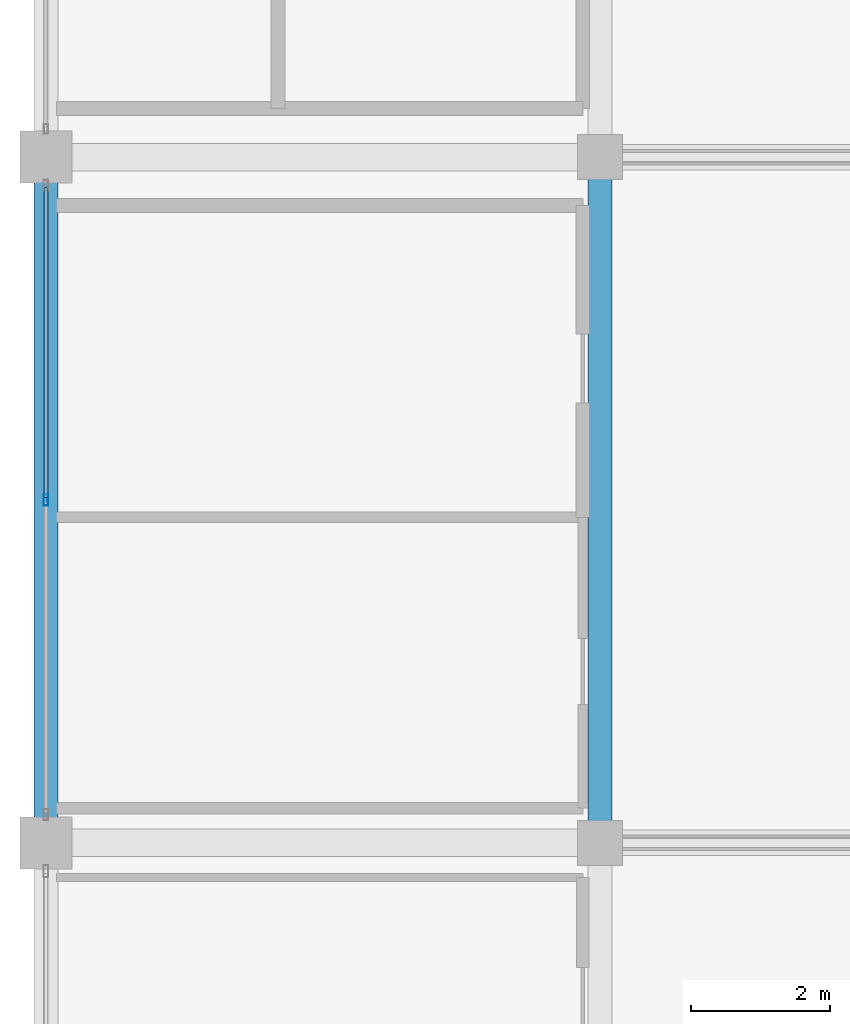
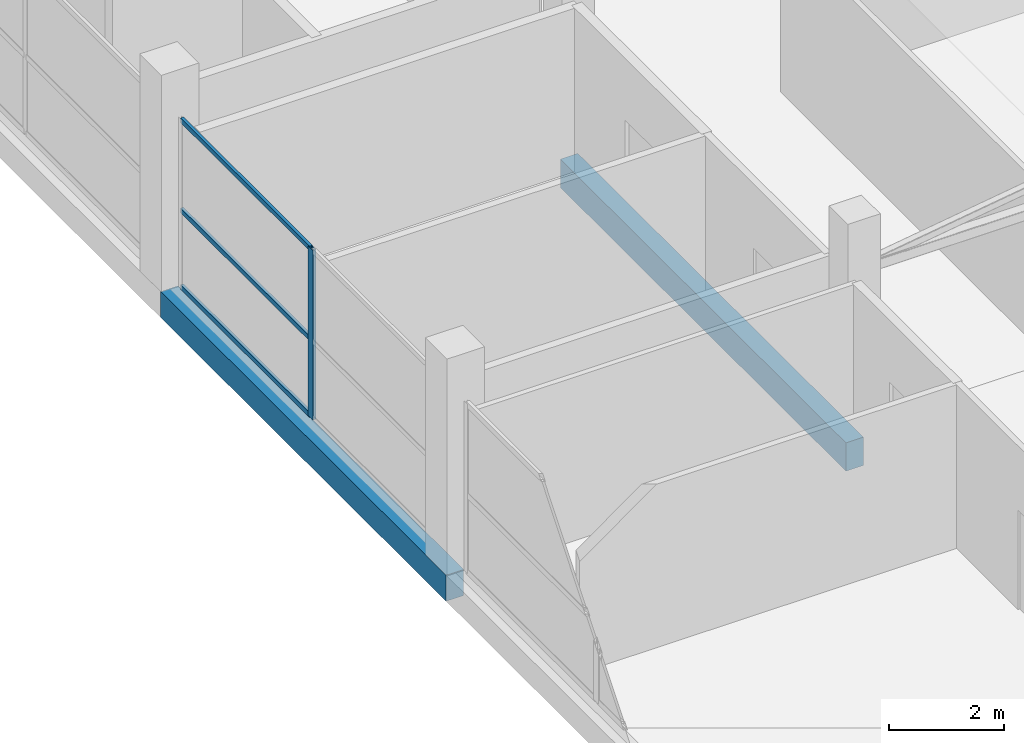
# One storey, part 22 of 69: 4 members, 2 beams, 1 element without a shape of its own.
"""IFC4 building model written with IfcOpenShell, lengths in metres."""

from ifc_helpers import new_model, si_unit, direction, frame, origin, origin_2d, place, context, subcontext, project, spatial, rectangle, hollow_rectangle, extrude, material, layer, layer_set, material_profile, profile_set, type_object, element, aggregate, save


model = new_model("IFC4")

# Units and contexts
model_context = context("Model", 3, precision=1e-05, world=origin(), true_north=direction((0.0, 1.0)))
body_context = subcontext(model_context, "Body", "Model", "MODEL_VIEW")
ifc_project = project(units=[si_unit("LENGTHUNIT", "METRE"), si_unit("AREAUNIT", "SQUARE_METRE"), si_unit("VOLUMEUNIT", "CUBIC_METRE"), si_unit("PLANEANGLEUNIT", "RADIAN"), si_unit("MASSUNIT", "GRAM", prefix="KILO")], contexts=[model_context])

# Site, building, storey
site_placement = place(None, origin())
site = spatial("IfcSite", under=ifc_project, at=site_placement, CompositionType="ELEMENT")
building_placement = place(site_placement, origin())
building = spatial("IfcBuilding", under=site, at=building_placement, Name="Sillaruma Civic Art Gallery", CompositionType="ELEMENT")
storey_placement = place(building_placement, frame((0.0, 0.0, 42.330078125)))
storey = spatial("IfcBuildingStorey", under=building, at=storey_placement, Name="L08", CompositionType="ELEMENT", Elevation=42.330078125)

# Beams
ifc_material_1 = material(Name="Concrete H35 (35 MPa)", Category="concrete")
ifc_material_profile_1 = material_profile(ifc_material_1, rectangle(XDim=0.35009765625, YDim=0.60009765625, at=origin_2d()), Name="RCB350x600")
ifc_profile_set_1 = profile_set([ifc_material_profile_1], Name="Concrete H35 (35 MPa)")
beam_type_1 = type_object("IfcBeamType", Name="BM-BEAM-RCB350x600", PredefinedType="BEAM", material=ifc_profile_set_1)
beam_1_placement = place(storey_placement, frame((70.0, 59.39990234375, -0.580078125), z_axis=(0.0, 1.0, 0.0), x_axis=(-1.0, 0.0, 0.0)))
element("IfcBeam", 1, at=beam_1_placement, inside=storey, type_object=beam_type_1, Name="Beam BM-06 (L07:G:7-8)", PredefinedType="BEAM", context=body_context, shape_type="SweptSolid", body=[
    extrude(rectangle(XDim=0.35009765625, YDim=0.60009765625, at=origin_2d()), origin(), (0.0, 0.0, 1.0), 9.900146484375),
])
ifc_material_profile_2 = material_profile(ifc_material_1, rectangle(XDim=0.35009765625, YDim=0.550048828125, at=origin_2d()), Name="RCB350x550")
ifc_profile_set_2 = profile_set([ifc_material_profile_2], Name="Concrete H35 (35 MPa)")
beam_type_2 = type_object("IfcBeamType", Name="BM-SPANDREL-RCB350x550", PredefinedType="SPANDREL", material=ifc_profile_set_2)
beam_2_placement = place(storey_placement, frame((62.0, 59.39990234375, -0.55517578125), z_axis=(0.0, 1.0, 0.0), x_axis=(-1.0, 0.0, 0.0)))
element("IfcBeam", 2, at=beam_2_placement, inside=storey, type_object=beam_type_2, Name="Beam BS-04 (L07:F:7-8)", PredefinedType="SPANDREL", context=body_context, shape_type="SweptSolid", body=[
    extrude(rectangle(XDim=0.35009765625, YDim=0.550048828125, at=origin_2d()), origin(), (0.0, 0.0, 1.0), 9.900146484375),
])

# Curtain wall, members
ifc_material_2 = material(Name="Thermally Broken Extruded Aluminium 6063-T6", Category="aluminium")
ifc_layer = layer(ifc_material_2, 0.159912109375, Name="Thermally Broken Extruded Aluminium 6063-T6")
ifc_layer_set = layer_set([ifc_layer], Name="Thermally Broken Extruded Aluminium 6063-T6")
curtain_wall_type = type_object("IfcCurtainWallType", Name="CW-UNI-29", PredefinedType="NOTDEFINED", material=ifc_layer_set)
curtain_wall_placement = place(storey_placement, origin())
curtain_wall = element("IfcCurtainWall", 3, at=curtain_wall_placement, inside=storey, type_object=curtain_wall_type, Name="Unitised Curtain Wall CW-29 (CW-L08-WBW-5)", PredefinedType="NOTDEFINED")
ifc_material_profile_3 = material_profile(ifc_material_2, hollow_rectangle(XDim=0.06494140625, YDim=0.159912109375, WallThickness=0.00390625, at=origin_2d()), Name="CWM65x160")
ifc_profile_set_3 = profile_set([ifc_material_profile_3], Name="Thermally Broken Extruded Aluminium 6063-T6")
member_type_1 = type_object("IfcMemberType", Name="MEM-MUL-CWM65x160", PredefinedType="MULLION", material=ifc_profile_set_3)
member_1_placement = place(storey_placement, frame((62.0, 64.35009765625, 0.0), z_axis=(0.0, 0.0, 1.0), x_axis=(-1.0, 0.0, 0.0)))
member_1 = element("IfcMember", 4, at=member_1_placement, type_object=member_type_1, Name="CW-29 mullion 2", PredefinedType="MULLION", context=body_context, shape_type="SweptSolid", body=[
    extrude(hollow_rectangle(XDim=0.06494140625, YDim=0.159912109375, WallThickness=0.00390625, at=origin_2d()), origin(), (0.0, 0.0, 1.0), 3.58984375),
])
ifc_material_profile_4 = material_profile(ifc_material_2, hollow_rectangle(XDim=0.06005859375, YDim=0.10009765625, WallThickness=0.003173828125, at=origin_2d()), Name="CWT60x100")
ifc_profile_set_4 = profile_set([ifc_material_profile_4], Name="Thermally Broken Extruded Aluminium 6063-T6")
member_type_2 = type_object("IfcMemberType", Name="MEM-TRN-CWT60x100", PredefinedType="USERDEFINED", material=ifc_profile_set_4)
member_2_placement = place(storey_placement, frame((62.0, 64.382568359375, 0.030029296875), z_axis=(0.0, 1.0, 0.0), x_axis=(-1.0, 0.0, 0.0)))
member_2 = element("IfcMember", 5, at=member_2_placement, type_object=member_type_2, Name="CW-29 transom 2.1", ObjectType="TRANSOM", PredefinedType="USERDEFINED", context=body_context, shape_type="SweptSolid", body=[
    extrude(hollow_rectangle(XDim=0.06005859375, YDim=0.10009765625, WallThickness=0.003173828125, at=origin_2d()), origin(), (0.0, 0.0, 1.0), 4.4775390625),
])
member_3_placement = place(storey_placement, frame((62.0, 64.382568359375, 1.6513671875), z_axis=(0.0, 1.0, 0.0), x_axis=(-1.0, 0.0, 0.0)))
member_3 = element("IfcMember", 6, at=member_3_placement, type_object=member_type_2, Name="CW-29 transom 2.2", ObjectType="TRANSOM", PredefinedType="USERDEFINED", context=body_context, shape_type="SweptSolid", body=[
    extrude(hollow_rectangle(XDim=0.06005859375, YDim=0.10009765625, WallThickness=0.003173828125, at=origin_2d()), origin(), (0.0, 0.0, 1.0), 4.4775390625),
])
member_4_placement = place(storey_placement, frame((62.0, 64.382568359375, 3.559814453125), z_axis=(0.0, 1.0, 0.0), x_axis=(-1.0, 0.0, 0.0)))
member_4 = element("IfcMember", 7, at=member_4_placement, type_object=member_type_2, Name="CW-29 transom 2.3", ObjectType="TRANSOM", PredefinedType="USERDEFINED", context=body_context, shape_type="SweptSolid", body=[
    extrude(hollow_rectangle(XDim=0.06005859375, YDim=0.10009765625, WallThickness=0.003173828125, at=origin_2d()), origin(), (0.0, 0.0, 1.0), 4.4775390625),
])
aggregate(curtain_wall, [member_1, member_2, member_3, member_4])

save(model, "model.ifc")
